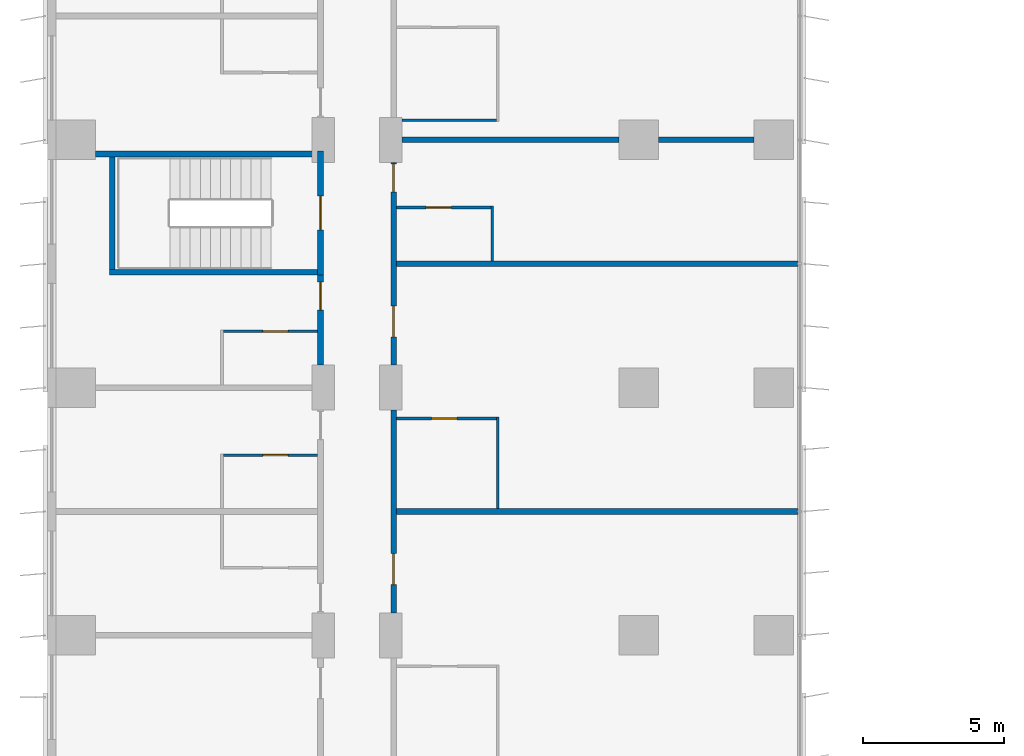
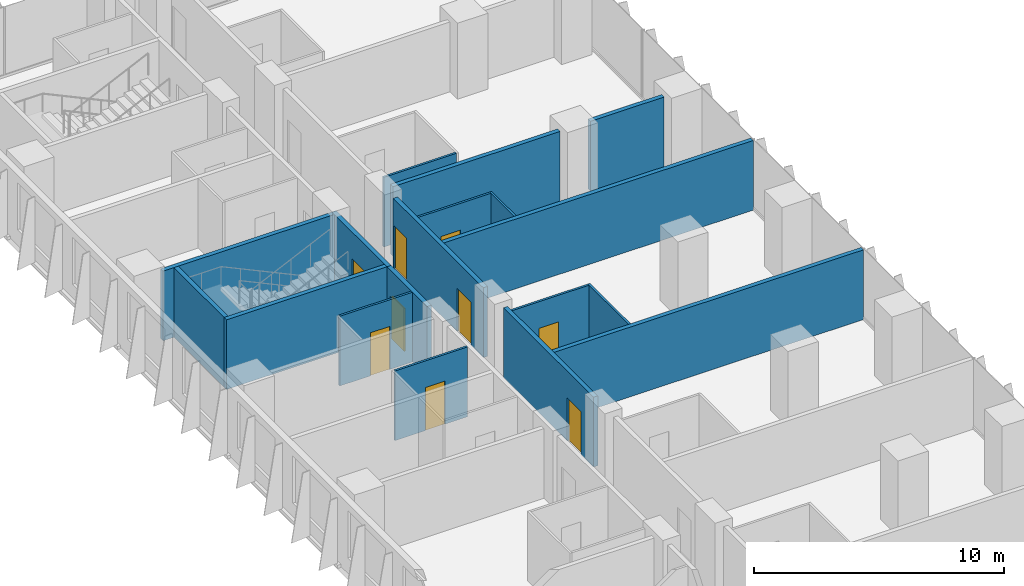
# One storey, part 17 of 24: 18 walls, 9 doors, 9 openings.
"""IFC4 building model written with IfcOpenShell, lengths in metres."""

from ifc_helpers import new_model, si_unit, direction, frame, frame_2d, origin, place, context, subcontext, project, spatial, rectangle, extrude, material, layer, layer_set, type_object, element, fill, save


model = new_model("IFC4")

# Units and contexts
model_context = context("Model", 3, precision=1e-05, world=origin(), true_north=direction((0.0, 1.0)))
body_context = subcontext(model_context, "Body", "Model", "MODEL_VIEW")
ifc_project = project(units=[si_unit("LENGTHUNIT", "METRE"), si_unit("AREAUNIT", "SQUARE_METRE"), si_unit("VOLUMEUNIT", "CUBIC_METRE"), si_unit("PLANEANGLEUNIT", "RADIAN"), si_unit("MASSUNIT", "GRAM", prefix="KILO")], contexts=[model_context])

# Site, building, storey
site_placement = place(None, origin())
site = spatial("IfcSite", under=ifc_project, at=site_placement, CompositionType="ELEMENT")
building_placement = place(site_placement, origin())
building = spatial("IfcBuilding", under=site, at=building_placement, Name="Kemantara Hotel Tower", CompositionType="ELEMENT")
storey_placement = place(building_placement, frame((0.0, 0.0, 48.800048828125)))
storey = spatial("IfcBuildingStorey", under=building, at=storey_placement, Name="L10", CompositionType="ELEMENT", Elevation=48.800048828125)

# Wall, opening, door
ifc_material_1 = material(Name="Gypsum board partition, steel studs and mineral wool, 200 mm", Category="steel")
ifc_layer_1 = layer(ifc_material_1, 0.199951171875)
ifc_layer_set_1 = layer_set([ifc_layer_1], Name="Gypsum board partition, steel studs and mineral wool, 200 mm")
wall_type_1 = type_object("IfcWallType", Name="CORRIDOR WALL 200", PredefinedType="PARTITIONING", material=ifc_layer_set_1)
wall_1_placement = place(storey_placement, frame((9.699951171875, 54.60009765625, 0.0), z_axis=(0.0, 0.0, 1.0), x_axis=(0.0, 1.0, 0.0)))
wall_1 = element("IfcWall", 1, at=wall_1_placement, inside=storey, type_object=wall_type_1, Name="CORRIDOR WALL 200 033", PredefinedType="PARTITIONING", context=body_context, shape_type="SweptSolid", body=[
    extrude(rectangle(XDim=3.199951171875, YDim=0.199951171875, at=frame_2d((1.60009765625, 0.0))), origin(), (0.0, 0.0, 1.0), 3.39990234375),
])
opening_1_placement = place(wall_1_placement, frame((1.949951171875, 0.0, 0.0)))
opening_1 = element("IfcOpeningElement", 2, at=opening_1_placement, cuts=wall_1, Name="Opening F03-046", PredefinedType="OPENING", context=body_context, shape_type="SweptSolid", body=[
    extrude(rectangle(XDim=1.0, YDim=2.10009765625, at=frame_2d((0.5, 1.050048828125))), frame((0.0, 0.10986328125, 0.0), z_axis=(0.0, -1.0, 0.0), x_axis=(1.0, 0.0, 0.0)), (0.0, 0.0, 1.0), 0.219970703125),
])
ifc_material_2 = material(Name="Hardwood veneer door leaf with steel frame", Category="steel")
door_type_1 = type_object("IfcDoorType", Name="GUEST ROOM DOOR 1000 X 2100 FD30S", OperationType="NOTDEFINED", PredefinedType="DOOR", material=ifc_material_2)
door_1_placement = place(opening_1_placement, origin())
door_1 = element("IfcDoor", 3, at=door_1_placement, inside=storey, type_object=door_type_1, Name="GUEST ROOM DOOR F03-046", OperationType="SINGLE_SWING_RIGHT", OverallHeight=2.10009765625, OverallWidth=1.0, PredefinedType="DOOR", context=body_context, shape_type="SweptSolid", body=[
    extrude(rectangle(XDim=1.0, YDim=2.10009765625, at=frame_2d((0.5, 1.050048828125))), frame((0.0, 0.02490234375, 0.0), z_axis=(0.0, -1.0, 0.0), x_axis=(1.0, 0.0, 0.0)), (0.0, 0.0, 1.0), 0.050048828125),
])
fill(opening_1, door_1)

wall_2_placement = place(storey_placement, frame((12.300048828125, 53.0, 0.0), z_axis=(0.0, 0.0, 1.0), x_axis=(0.0, -1.0, 0.0)))
wall_2 = element("IfcWall", 4, at=wall_2_placement, inside=storey, type_object=wall_type_1, Name="CORRIDOR WALL 200 049", PredefinedType="PARTITIONING", context=body_context, shape_type="SweptSolid", body=[
    extrude(rectangle(XDim=7.199951171875, YDim=0.199951171875, at=frame_2d((3.60009765625, 0.0))), origin(), (0.0, 0.0, 1.0), 3.39990234375),
])
opening_2_placement = place(wall_2_placement, frame((5.099853515625, 0.0, 0.0)))
opening_2 = element("IfcOpeningElement", 5, at=opening_2_placement, cuts=wall_2, Name="Opening F03-058", PredefinedType="OPENING", context=body_context, shape_type="SweptSolid", body=[
    extrude(rectangle(XDim=1.10009765625, YDim=2.10009765625, at=frame_2d((0.550048828125, 1.050048828125))), frame((0.0, 0.10986328125, 0.0), z_axis=(0.0, -1.0, 0.0), x_axis=(1.0, 0.0, 0.0)), (0.0, 0.0, 1.0), 0.219970703125),
])
door_type_2 = type_object("IfcDoorType", Name="SUITE ENTRANCE DOOR 1100 X 2100 FD30S", OperationType="NOTDEFINED", PredefinedType="DOOR", material=ifc_material_2)
door_2_placement = place(opening_2_placement, origin())
door_2 = element("IfcDoor", 6, at=door_2_placement, inside=storey, type_object=door_type_2, Name="SUITE ENTRANCE DOOR F03-058", OperationType="SINGLE_SWING_LEFT", OverallHeight=2.10009765625, OverallWidth=1.10009765625, PredefinedType="DOOR", context=body_context, shape_type="SweptSolid", body=[
    extrude(rectangle(XDim=1.10009765625, YDim=2.10009765625, at=frame_2d((0.550048828125, 1.050048828125))), frame((0.0, 0.02490234375, 0.0), z_axis=(0.0, -1.0, 0.0), x_axis=(1.0, 0.0, 0.0)), (0.0, 0.0, 1.0), 0.050048828125),
])
fill(opening_2, door_2)

# Wall, openings, doors
wall_3_placement = place(storey_placement, frame((12.300048828125, 61.7998046875, 0.0), z_axis=(0.0, 0.0, 1.0), x_axis=(0.0, -1.0, 0.0)))
wall_3 = element("IfcWall", 7, at=wall_3_placement, inside=storey, type_object=wall_type_1, Name="CORRIDOR WALL 200 050", PredefinedType="PARTITIONING", context=body_context, shape_type="SweptSolid", body=[
    extrude(rectangle(XDim=7.19970703125, YDim=0.199951171875, at=frame_2d((3.599853515625, 0.0))), origin(), (0.0, 0.0, 1.0), 3.39990234375),
])
opening_3_placement = place(wall_3_placement, frame((5.099853515625, 0.0, 0.0)))
opening_3 = element("IfcOpeningElement", 8, at=opening_3_placement, cuts=wall_3, Name="Opening F03-060", PredefinedType="OPENING", context=body_context, shape_type="SweptSolid", body=[
    extrude(rectangle(XDim=1.10009765625, YDim=2.10009765625, at=frame_2d((0.550048828125, 1.050048828125))), frame((0.0, 0.10986328125, 0.0), z_axis=(0.0, -1.0, 0.0), x_axis=(1.0, 0.0, 0.0)), (0.0, 0.0, 1.0), 0.219970703125),
])
opening_4_placement = place(wall_3_placement, frame((0.0498046875, 0.0, 0.0)))
opening_4 = element("IfcOpeningElement", 9, at=opening_4_placement, cuts=wall_3, Name="Opening F03-062", PredefinedType="OPENING", context=body_context, shape_type="SweptSolid", body=[
    extrude(rectangle(XDim=1.0, YDim=2.10009765625, at=frame_2d((0.5, 1.050048828125))), frame((0.0, 0.10986328125, 0.0), z_axis=(0.0, -1.0, 0.0), x_axis=(1.0, 0.0, 0.0)), (0.0, 0.0, 1.0), 0.219970703125),
])
door_3_placement = place(opening_4_placement, origin())
door_3 = element("IfcDoor", 10, at=door_3_placement, inside=storey, type_object=door_type_1, Name="GUEST ROOM DOOR F03-062", OperationType="SINGLE_SWING_LEFT", OverallHeight=2.10009765625, OverallWidth=1.0, PredefinedType="DOOR", context=body_context, shape_type="SweptSolid", body=[
    extrude(rectangle(XDim=1.0, YDim=2.10009765625, at=frame_2d((0.5, 1.050048828125))), frame((0.0, 0.02490234375, 0.0), z_axis=(0.0, -1.0, 0.0), x_axis=(1.0, 0.0, 0.0)), (0.0, 0.0, 1.0), 0.050048828125),
])
fill(opening_4, door_3)
door_4_placement = place(opening_3_placement, origin())
door_4 = element("IfcDoor", 11, at=door_4_placement, inside=storey, type_object=door_type_2, Name="SUITE ENTRANCE DOOR F03-060", OperationType="SINGLE_SWING_LEFT", OverallHeight=2.10009765625, OverallWidth=1.10009765625, PredefinedType="DOOR", context=body_context, shape_type="SweptSolid", body=[
    extrude(rectangle(XDim=1.10009765625, YDim=2.10009765625, at=frame_2d((0.550048828125, 1.050048828125))), frame((0.0, 0.02490234375, 0.0), z_axis=(0.0, -1.0, 0.0), x_axis=(1.0, 0.0, 0.0)), (0.0, 0.0, 1.0), 0.050048828125),
])
fill(opening_3, door_4)

# Wall, opening, door
ifc_material_3 = material(Name="Concrete fc 40 MPa", Category="concrete")
ifc_layer_2 = layer(ifc_material_3, 0.199951171875)
ifc_layer_set_2 = layer_set([ifc_layer_2], Name="Concrete fc 40 MPa")
wall_type_2 = type_object("IfcWallType", Name="Concrete stair wall 200 mm", PredefinedType="SHEAR", material=ifc_layer_set_2)
wall_4_placement = place(storey_placement, frame((9.699951171875, 57.800048828125, 0.0), z_axis=(0.0, 0.0, 1.0), x_axis=(0.0, 1.0, 0.0)))
wall_4 = element("IfcWall", 12, at=wall_4_placement, inside=storey, type_object=wall_type_2, Name="Stair ST4 enclosure wall with door", PredefinedType="SHEAR", context=body_context, shape_type="SweptSolid", body=[
    extrude(rectangle(XDim=4.39990234375, YDim=0.199951171875, at=frame_2d((2.199951171875, 0.0))), origin(), (0.0, 0.0, 1.0), 3.39990234375),
])
opening_5_placement = place(wall_4_placement, frame((1.60009765625, 0.0, 0.0)))
opening_5 = element("IfcOpeningElement", 13, at=opening_5_placement, cuts=wall_4, Name="Opening ST4-C", PredefinedType="OPENING", context=body_context, shape_type="SweptSolid", body=[
    extrude(rectangle(XDim=1.199951171875, YDim=2.10009765625, at=frame_2d((0.60009765625, 1.050048828125))), frame((0.0, 0.10986328125, 0.0), z_axis=(0.0, -1.0, 0.0), x_axis=(1.0, 0.0, 0.0)), (0.0, 0.0, 1.0), 0.219970703125),
])
ifc_material_4 = material(Name="Steel fire door", Category="steel")
door_type_3 = type_object("IfcDoorType", Name="Fire door FD90 1200 x 2100", OperationType="NOTDEFINED", PredefinedType="DOOR", material=ifc_material_4)
door_5_placement = place(opening_5_placement, origin())
door_5 = element("IfcDoor", 14, at=door_5_placement, inside=storey, type_object=door_type_3, Name="Stair ST4 door", OperationType="SINGLE_SWING_RIGHT", OverallHeight=2.10009765625, OverallWidth=1.199951171875, PredefinedType="DOOR", context=body_context, shape_type="SweptSolid", body=[
    extrude(rectangle(XDim=1.199951171875, YDim=2.10009765625, at=frame_2d((0.60009765625, 1.050048828125))), frame((0.0, 0.02490234375, 0.0), z_axis=(0.0, -1.0, 0.0), x_axis=(1.0, 0.0, 0.0)), (0.0, 0.0, 1.0), 0.050048828125),
])
fill(opening_5, door_5)

# Walls
wall_5_placement = place(storey_placement, frame((1.699951171875, 62.10009765625, 0.0), z_axis=(0.0, 0.0, 1.0), x_axis=(1.0, 0.0, 0.0)))
element("IfcWall", 15, at=wall_5_placement, inside=storey, type_object=wall_type_2, Name="Stair ST4 enclosure wall N", PredefinedType="SHEAR", context=body_context, shape_type="SweptSolid", body=[
    extrude(rectangle(XDim=7.900146484375, YDim=0.199951171875, at=frame_2d((3.9501953125, 0.0))), origin(), (0.0, 0.0, 1.0), 3.39990234375),
])
wall_6_placement = place(storey_placement, frame((2.199951171875, 57.89990234375, 0.0), z_axis=(0.0, 0.0, 1.0), x_axis=(1.0, 0.0, 0.0)))
element("IfcWall", 16, at=wall_6_placement, inside=storey, type_object=wall_type_2, Name="Stair ST4 enclosure wall S", PredefinedType="SHEAR", context=body_context, shape_type="SweptSolid", body=[
    extrude(rectangle(XDim=7.400146484375, YDim=0.199951171875, at=frame_2d((3.7001953125, 0.0))), origin(), (0.0, 0.0, 1.0), 3.39990234375),
])
wall_7_placement = place(storey_placement, frame((2.300048828125, 58.0, 0.0), z_axis=(0.0, 0.0, 1.0), x_axis=(0.0, 1.0, 0.0)))
element("IfcWall", 17, at=wall_7_placement, inside=storey, type_object=wall_type_2, Name="Stair ST4 enclosure wall W", PredefinedType="SHEAR", context=body_context, shape_type="SweptSolid", body=[
    extrude(rectangle(XDim=4.0, YDim=0.199951171875, at=frame_2d((2.0, 0.0))), origin(), (0.0, 0.0, 1.0), 3.39990234375),
])
ifc_layer_3 = layer(ifc_material_1, 0.199951171875)
ifc_layer_set_3 = layer_set([ifc_layer_3], Name="Gypsum board partition, steel studs and mineral wool, 200 mm")
wall_type_3 = type_object("IfcWallType", Name="GUEST ROOM PARTY WALL 200", PredefinedType="PARTITIONING", material=ifc_layer_set_3)
for number, where, z_axis, x_axis, name in (
    (18, (12.39990234375, 49.39990234375, 0.0), (0.0, 0.0, 1.0), (1.0, 0.0, 0.0), "GUEST ROOM PARTY WALL 200 043"),
    (19, (12.39990234375, 58.199951171875, 0.0), (0.0, 0.0, 1.0), (1.0, 0.0, 0.0), "GUEST ROOM PARTY WALL 200 057"),
):
    element("IfcWall", number, at=place(storey_placement, frame(where, z_axis=z_axis, x_axis=x_axis)), inside=storey, type_object=wall_type_3, Name=name, PredefinedType="PARTITIONING", context=body_context, shape_type="SweptSolid", body=[
        extrude(rectangle(XDim=14.27001953125, YDim=0.199951171875, at=frame_2d((7.135009765625, 0.0))), origin(), (0.0, 0.0, 1.0), 3.39990234375),
    ])
wall_8_placement = place(storey_placement, frame((12.60009765625, 62.60009765625, 0.0), z_axis=(0.0, 0.0, 1.0), x_axis=(1.0, 0.0, 0.0)))
element("IfcWall", 20, at=wall_8_placement, inside=storey, type_object=wall_type_3, Name="GUEST ROOM PARTY WALL 200 058", PredefinedType="PARTITIONING", context=body_context, shape_type="SweptSolid", body=[
    extrude(rectangle(XDim=7.69970703125, YDim=0.199951171875, at=frame_2d((3.849853515625, 0.0))), origin(), (0.0, 0.0, 1.0), 3.39990234375),
])
wall_9_placement = place(storey_placement, frame((21.7001953125, 62.60009765625, 0.0), z_axis=(0.0, 0.0, 1.0), x_axis=(1.0, 0.0, 0.0)))
element("IfcWall", 21, at=wall_9_placement, inside=storey, type_object=wall_type_3, Name="GUEST ROOM PARTY WALL 200 059", PredefinedType="PARTITIONING", context=body_context, shape_type="SweptSolid", body=[
    extrude(rectangle(XDim=3.399658203125, YDim=0.199951171875, at=frame_2d((1.69970703125, 0.0))), origin(), (0.0, 0.0, 1.0), 3.39990234375),
])

# Wall, opening, door
ifc_material_5 = material(Name="Gypsum board partition on steel studs, 100 mm", Category="steel")
ifc_layer_4 = layer(ifc_material_5, 0.10009765625)
ifc_layer_set_4 = layer_set([ifc_layer_4], Name="Gypsum board partition on steel studs, 100 mm")
wall_type_4 = type_object("IfcWallType", Name="ROOM PARTITION 100", PredefinedType="PARTITIONING", material=ifc_layer_set_4)
wall_10_placement = place(storey_placement, frame((9.60009765625, 51.39990234375, 0.0), z_axis=(0.0, 0.0, 1.0), x_axis=(-1.0, 0.0, 0.0)))
wall_10 = element("IfcWall", 22, at=wall_10_placement, inside=storey, type_object=wall_type_4, Name="ROOM PARTITION 100 112", PredefinedType="PARTITIONING", context=body_context, shape_type="SweptSolid", body=[
    extrude(rectangle(XDim=3.35009765625, YDim=0.10009765625, at=frame_2d((1.675048828125, 0.0))), origin(), (0.0, 0.0, 1.0), 3.39990234375),
])
opening_6_placement = place(wall_10_placement, frame((1.050048828125, 0.0, 0.0)))
opening_6 = element("IfcOpeningElement", 23, at=opening_6_placement, cuts=wall_10, Name="Opening F03-045", PredefinedType="OPENING", context=body_context, shape_type="SweptSolid", body=[
    extrude(rectangle(XDim=0.89990234375, YDim=2.10009765625, at=frame_2d((0.449951171875, 1.050048828125))), frame((0.0, 0.06005859375, 0.0), z_axis=(0.0, -1.0, 0.0), x_axis=(1.0, 0.0, 0.0)), (0.0, 0.0, 1.0), 0.1201171875),
])
door_type_4 = type_object("IfcDoorType", Name="BATHROOM DOOR 900 X 2100", OperationType="NOTDEFINED", PredefinedType="DOOR", material=ifc_material_2)
door_6_placement = place(opening_6_placement, origin())
door_6 = element("IfcDoor", 24, at=door_6_placement, inside=storey, type_object=door_type_4, Name="BATHROOM DOOR F03-045", OperationType="SINGLE_SWING_LEFT", OverallHeight=2.10009765625, OverallWidth=0.89990234375, PredefinedType="DOOR", context=body_context, shape_type="SweptSolid", body=[
    extrude(rectangle(XDim=0.89990234375, YDim=2.10009765625, at=frame_2d((0.449951171875, 1.050048828125))), frame((0.0, 0.02490234375, 0.0), z_axis=(0.0, -1.0, 0.0), x_axis=(1.0, 0.0, 0.0)), (0.0, 0.0, 1.0), 0.050048828125),
])
fill(opening_6, door_6)

wall_11_placement = place(storey_placement, frame((9.60009765625, 55.800048828125, 0.0), z_axis=(0.0, 0.0, 1.0), x_axis=(-1.0, 0.0, 0.0)))
wall_11 = element("IfcWall", 25, at=wall_11_placement, inside=storey, type_object=wall_type_4, Name="ROOM PARTITION 100 113", PredefinedType="PARTITIONING", context=body_context, shape_type="SweptSolid", body=[
    extrude(rectangle(XDim=3.35009765625, YDim=0.10009765625, at=frame_2d((1.675048828125, 0.0))), origin(), (0.0, 0.0, 1.0), 3.39990234375),
])
opening_7_placement = place(wall_11_placement, frame((1.050048828125, 0.0, 0.0)))
opening_7 = element("IfcOpeningElement", 26, at=opening_7_placement, cuts=wall_11, Name="Opening F03-047", PredefinedType="OPENING", context=body_context, shape_type="SweptSolid", body=[
    extrude(rectangle(XDim=0.89990234375, YDim=2.10009765625, at=frame_2d((0.449951171875, 1.050048828125))), frame((0.0, 0.06005859375, 0.0), z_axis=(0.0, -1.0, 0.0), x_axis=(1.0, 0.0, 0.0)), (0.0, 0.0, 1.0), 0.1201171875),
])
door_7_placement = place(opening_7_placement, origin())
door_7 = element("IfcDoor", 27, at=door_7_placement, inside=storey, type_object=door_type_4, Name="BATHROOM DOOR F03-047", OperationType="SINGLE_SWING_LEFT", OverallHeight=2.10009765625, OverallWidth=0.89990234375, PredefinedType="DOOR", context=body_context, shape_type="SweptSolid", body=[
    extrude(rectangle(XDim=0.89990234375, YDim=2.10009765625, at=frame_2d((0.449951171875, 1.050048828125))), frame((0.0, 0.02490234375, 0.0), z_axis=(0.0, -1.0, 0.0), x_axis=(1.0, 0.0, 0.0)), (0.0, 0.0, 1.0), 0.050048828125),
])
fill(opening_7, door_7)

# Wall
wall_12_placement = place(storey_placement, frame((16.0, 49.5, 0.0), z_axis=(0.0, 0.0, 1.0), x_axis=(0.0, 1.0, 0.0)))
element("IfcWall", 28, at=wall_12_placement, inside=storey, type_object=wall_type_4, Name="ROOM PARTITION 100 120", PredefinedType="PARTITIONING", context=body_context, shape_type="SweptSolid", body=[
    extrude(rectangle(XDim=3.25, YDim=0.10009765625, at=frame_2d((1.625, 0.0))), origin(), (0.0, 0.0, 1.0), 3.39990234375),
])

# Wall, opening, door
wall_13_placement = place(storey_placement, frame((15.949951171875, 52.699951171875, 0.0), z_axis=(0.0, 0.0, 1.0), x_axis=(-1.0, 0.0, 0.0)))
wall_13 = element("IfcWall", 29, at=wall_13_placement, inside=storey, type_object=wall_type_4, Name="ROOM PARTITION 100 124", PredefinedType="PARTITIONING", context=body_context, shape_type="SweptSolid", body=[
    extrude(rectangle(XDim=3.550048828125, YDim=0.10009765625, at=frame_2d((1.77490234375, 0.0))), origin(), (0.0, 0.0, 1.0), 3.39990234375),
])
opening_8_placement = place(wall_13_placement, frame((1.39990234375, 0.0, 0.0)))
opening_8 = element("IfcOpeningElement", 30, at=opening_8_placement, cuts=wall_13, Name="Opening F03-061", PredefinedType="OPENING", context=body_context, shape_type="SweptSolid", body=[
    extrude(rectangle(XDim=0.89990234375, YDim=2.10009765625, at=frame_2d((0.449951171875, 1.050048828125))), frame((0.0, 0.06005859375, 0.0), z_axis=(0.0, -1.0, 0.0), x_axis=(1.0, 0.0, 0.0)), (0.0, 0.0, 1.0), 0.1201171875),
])
door_8_placement = place(opening_8_placement, origin())
door_8 = element("IfcDoor", 31, at=door_8_placement, inside=storey, type_object=door_type_4, Name="BATHROOM DOOR F03-061", OperationType="SINGLE_SWING_RIGHT", OverallHeight=2.10009765625, OverallWidth=0.89990234375, PredefinedType="DOOR", context=body_context, shape_type="SweptSolid", body=[
    extrude(rectangle(XDim=0.89990234375, YDim=2.10009765625, at=frame_2d((0.449951171875, 1.050048828125))), frame((0.0, 0.02490234375, 0.0), z_axis=(0.0, -1.0, 0.0), x_axis=(1.0, 0.0, 0.0)), (0.0, 0.0, 1.0), 0.050048828125),
])
fill(opening_8, door_8)

# Wall
wall_14_placement = place(storey_placement, frame((15.800048828125, 58.300048828125, 0.0), z_axis=(0.0, 0.0, 1.0), x_axis=(0.0, 1.0, 0.0)))
element("IfcWall", 32, at=wall_14_placement, inside=storey, type_object=wall_type_4, Name="ROOM PARTITION 100 125", PredefinedType="PARTITIONING", context=body_context, shape_type="SweptSolid", body=[
    extrude(rectangle(XDim=1.949951171875, YDim=0.10009765625, at=frame_2d((0.97509765625, 0.0))), origin(), (0.0, 0.0, 1.0), 3.39990234375),
])

# Wall, opening, door
wall_15_placement = place(storey_placement, frame((15.75, 60.199951171875, 0.0), z_axis=(0.0, 0.0, 1.0), x_axis=(-1.0, 0.0, 0.0)))
wall_15 = element("IfcWall", 33, at=wall_15_placement, inside=storey, type_object=wall_type_4, Name="ROOM PARTITION 100 126", PredefinedType="PARTITIONING", context=body_context, shape_type="SweptSolid", body=[
    extrude(rectangle(XDim=3.35009765625, YDim=0.10009765625, at=frame_2d((1.675048828125, 0.0))), origin(), (0.0, 0.0, 1.0), 3.39990234375),
])
opening_9_placement = place(wall_15_placement, frame((1.39990234375, 0.0, 0.0)))
opening_9 = element("IfcOpeningElement", 34, at=opening_9_placement, cuts=wall_15, Name="Opening F03-063", PredefinedType="OPENING", context=body_context, shape_type="SweptSolid", body=[
    extrude(rectangle(XDim=0.89990234375, YDim=2.10009765625, at=frame_2d((0.449951171875, 1.050048828125))), frame((0.0, 0.06005859375, 0.0), z_axis=(0.0, -1.0, 0.0), x_axis=(1.0, 0.0, 0.0)), (0.0, 0.0, 1.0), 0.1201171875),
])
door_9_placement = place(opening_9_placement, origin())
door_9 = element("IfcDoor", 35, at=door_9_placement, inside=storey, type_object=door_type_4, Name="BATHROOM DOOR F03-063", OperationType="SINGLE_SWING_RIGHT", OverallHeight=2.10009765625, OverallWidth=0.89990234375, PredefinedType="DOOR", context=body_context, shape_type="SweptSolid", body=[
    extrude(rectangle(XDim=0.89990234375, YDim=2.10009765625, at=frame_2d((0.449951171875, 1.050048828125))), frame((0.0, 0.02490234375, 0.0), z_axis=(0.0, -1.0, 0.0), x_axis=(1.0, 0.0, 0.0)), (0.0, 0.0, 1.0), 0.050048828125),
])
fill(opening_9, door_9)

# Wall
wall_16_placement = place(storey_placement, frame((12.60009765625, 63.300048828125, 0.0), z_axis=(0.0, 0.0, 1.0), x_axis=(1.0, 0.0, 0.0)))
element("IfcWall", 36, at=wall_16_placement, inside=storey, type_object=wall_type_4, Name="ROOM PARTITION 100 127", PredefinedType="PARTITIONING", context=body_context, shape_type="SweptSolid", body=[
    extrude(rectangle(XDim=3.349853515625, YDim=0.10009765625, at=frame_2d((1.6748046875, 0.0))), origin(), (0.0, 0.0, 1.0), 3.39990234375),
])

save(model, "model.ifc")
